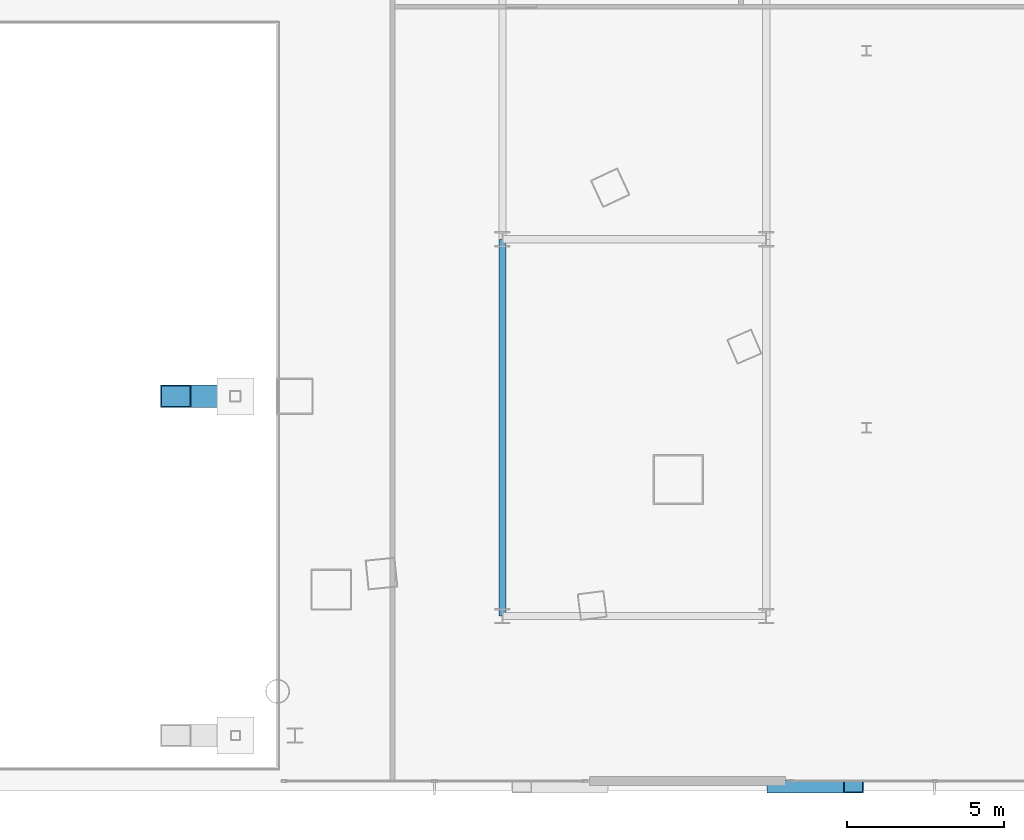
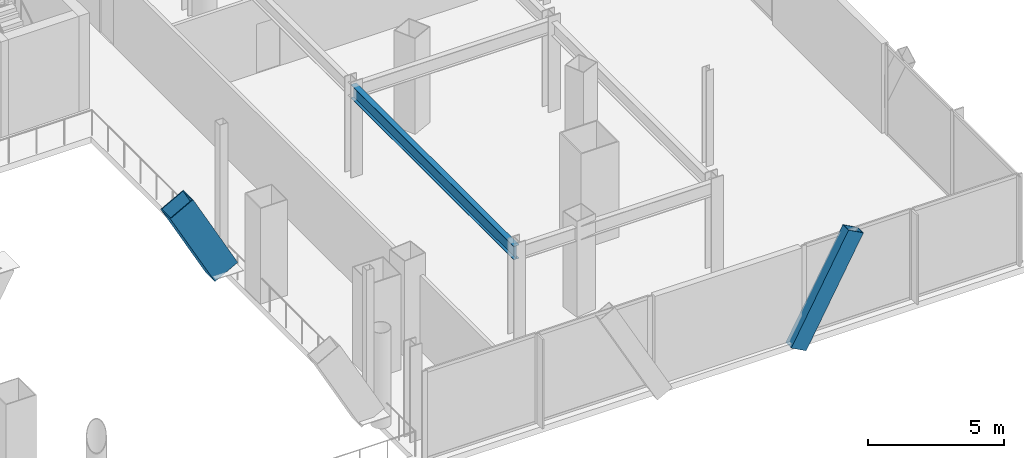
# One storey, part 15 of 42: 2 members, 1 beam.
"""IFC4 building model written with IfcOpenShell, lengths in metres."""

from ifc_helpers import new_model, si_unit, direction, frame, origin, origin_2d, place, context, subcontext, project, spatial, hollow_rectangle, i_section, extrude, material, material_profile, profile_set, type_object, element, save


model = new_model("IFC4")

# Units and contexts
model_context = context("Model", 3, precision=1e-05, world=origin(), true_north=direction((0.0, 1.0)))
body_context = subcontext(model_context, "Body", "Model", "MODEL_VIEW")
ifc_project = project(units=[si_unit("LENGTHUNIT", "METRE"), si_unit("AREAUNIT", "SQUARE_METRE"), si_unit("VOLUMEUNIT", "CUBIC_METRE"), si_unit("PLANEANGLEUNIT", "RADIAN"), si_unit("MASSUNIT", "GRAM", prefix="KILO")], contexts=[model_context])

# Site, building, storey
site_placement = place(None, origin())
site = spatial("IfcSite", under=ifc_project, at=site_placement, CompositionType="ELEMENT")
building_placement = place(site_placement, origin())
building = spatial("IfcBuilding", under=site, at=building_placement, Name="Orvanel Arch Residences", CompositionType="ELEMENT")
storey_placement = place(building_placement, frame((0.0, 0.0, 5.5)))
storey = spatial("IfcBuildingStorey", under=building, at=storey_placement, Name="L01", CompositionType="ELEMENT", Elevation=5.5)

# Member
ifc_material_1 = material(Name="Structural steel AS/NZS 3678 Grade 350", Category="steel")
ifc_material_profile_1 = material_profile(ifc_material_1, hollow_rectangle(XDim=0.719970703125, YDim=1.10009765625, WallThickness=0.035888671875, at=origin_2d()), Name="BOX1100x720x36")
ifc_profile_set_1 = profile_set([ifc_material_profile_1], Name="Structural steel AS/NZS 3678 Grade 350")
member_type_1 = type_object("IfcMemberType", Name="AR-1100BOX", PredefinedType="USERDEFINED", material=ifc_profile_set_1)
member_1_placement = place(storey_placement, frame((35.800048828125, 13.0, 5.262939453125), z_axis=(0.478671116441, 0.0, -0.877994283743), x_axis=(0.0, 1.0, 0.0)))
element("IfcMember", 1, at=member_1_placement, inside=storey, type_object=member_type_1, Name="Monumental Podium Arch Rib MID Segment 7", ObjectType="ARCH_SEGMENT", PredefinedType="USERDEFINED", context=body_context, shape_type="SweptSolid", body=[
    extrude(hollow_rectangle(XDim=0.719970703125, YDim=1.10009765625, WallThickness=0.035888671875, at=origin_2d()), origin(), (0.0, 0.0, 1.0), 3.96923828125),
])

# Beam
ifc_material_2 = material(Name="Structural steel AS/NZS 3679.1 Grade 300 (300 MPa)", Category="steel")
ifc_material_profile_2 = material_profile(ifc_material_2, i_section(OverallWidth=0.22900390625, OverallDepth=0.612060546875, WebThickness=0.011962890625, FlangeThickness=0.01953125, at=origin_2d()), Name="610UB125")
ifc_profile_set_2 = profile_set([ifc_material_profile_2], Name="Structural steel AS/NZS 3679.1 Grade 300 (300 MPa)")
beam_type = type_object("IfcBeamType", Name="BG-610UB", PredefinedType="BEAM", material=ifc_profile_set_2)
beam_placement = place(storey_placement, frame((46.199951171875, 6.0, 3.714111328125), z_axis=(0.0, 1.0, 0.0), x_axis=(-1.0, 0.0, 0.0)))
element("IfcBeam", 2, at=beam_placement, inside=storey, type_object=beam_type, Name="L01 North-South Podium Girder XE46-S", PredefinedType="BEAM", context=body_context, shape_type="SweptSolid", body=[
    extrude(i_section(OverallWidth=0.22900390625, OverallDepth=0.612060546875, WebThickness=0.011962890625, FlangeThickness=0.01953125, at=origin_2d()), origin(), (0.0, 0.0, 1.0), 12.0),
])

# Member
ifc_material_profile_3 = material_profile(ifc_material_1, hollow_rectangle(XDim=0.419921875, YDim=0.719970703125, WallThickness=0.02490234375, at=origin_2d()), Name="RHS720x420x25")
ifc_profile_set_3 = profile_set([ifc_material_profile_3], Name="Structural steel AS/NZS 3678 Grade 350")
member_type_2 = type_object("IfcMemberType", Name="BR-720RHS-EXT", PredefinedType="BRACE", material=ifc_profile_set_3)
member_2_placement = place(storey_placement, frame((54.946044921875, 0.580078125, -0.300048828125), z_axis=(0.480038670678, 0.0, 0.877247328097), x_axis=(0.0, 1.0, 0.0)))
element("IfcMember", 3, at=member_2_placement, inside=storey, type_object=member_type_2, Name="L01 Podium Multi-Storey V-Strut Pair SE Leg 2", PredefinedType="BRACE", context=body_context, shape_type="SweptSolid", body=[
    extrude(hollow_rectangle(XDim=0.419921875, YDim=0.719970703125, WallThickness=0.02490234375, at=origin_2d()), origin(), (0.0, 0.0, 1.0), 5.072509765625),
])

save(model, "model.ifc")
